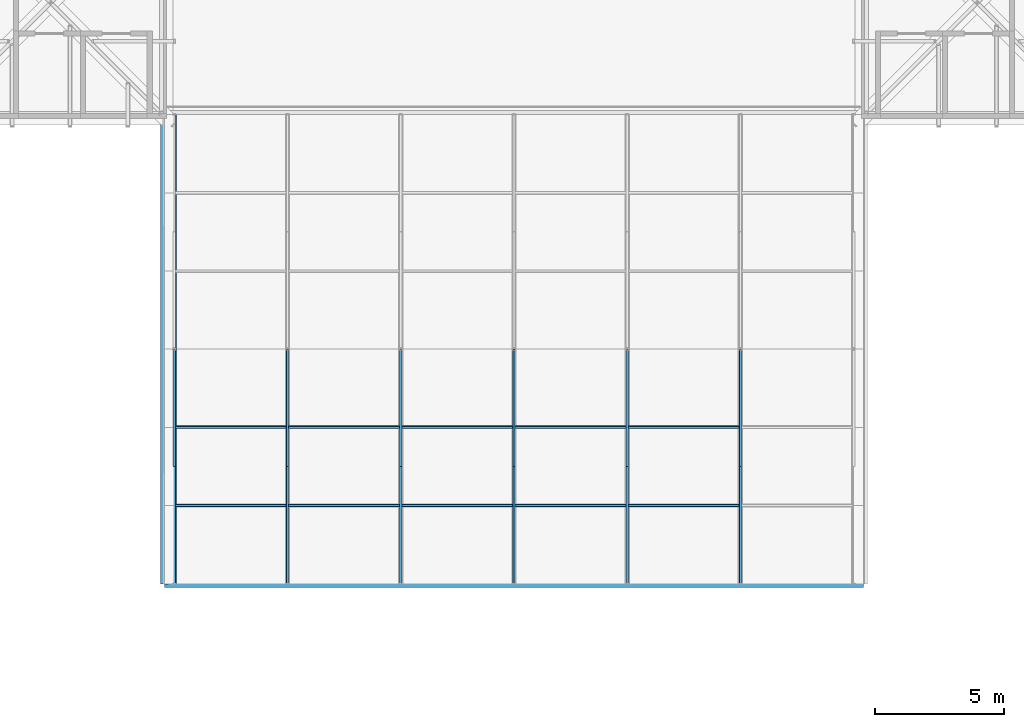
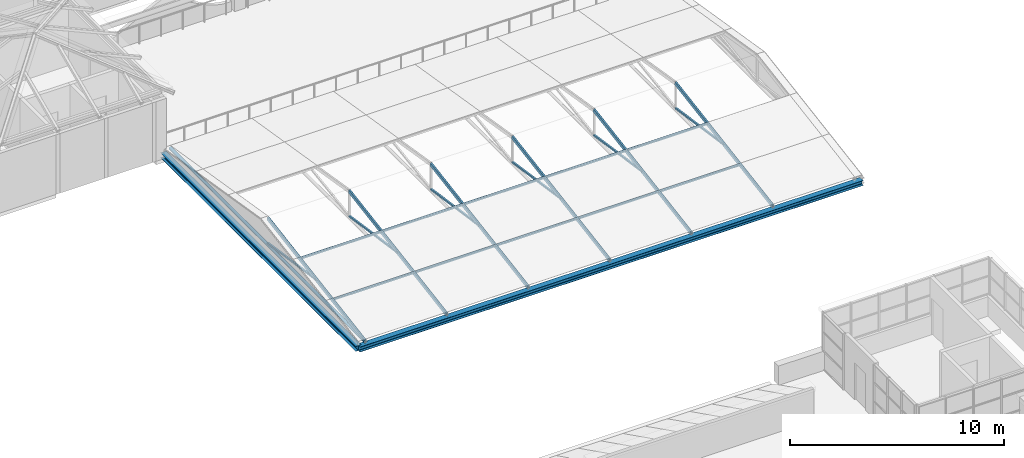
# One storey, part 6 of 69: 23 members, 2 beams.
"""IFC4 building model written with IfcOpenShell, lengths in metres."""

from ifc_helpers import new_model, si_unit, direction, frame, origin, origin_2d, place, context, subcontext, project, spatial, hollow_rectangle, hollow_circle, i_section, extrude, material, material_profile, profile_set, type_object, element, save


model = new_model("IFC4")

# Units and contexts
model_context = context("Model", 3, precision=1e-05, world=origin(), true_north=direction((0.0, 1.0)))
body_context = subcontext(model_context, "Body", "Model", "MODEL_VIEW")
ifc_project = project(units=[si_unit("LENGTHUNIT", "METRE"), si_unit("AREAUNIT", "SQUARE_METRE"), si_unit("VOLUMEUNIT", "CUBIC_METRE"), si_unit("PLANEANGLEUNIT", "RADIAN"), si_unit("MASSUNIT", "GRAM", prefix="KILO")], contexts=[model_context])

# Site, building, storey
site_placement = place(None, origin())
site = spatial("IfcSite", under=ifc_project, at=site_placement, CompositionType="ELEMENT")
building_placement = place(site_placement, origin())
building = spatial("IfcBuilding", under=site, at=building_placement, Name="Kallimachos Central Library", CompositionType="ELEMENT")
storey_placement = place(building_placement, frame((0.0, 0.0, 23.39990234375)))
storey = spatial("IfcBuildingStorey", under=building, at=storey_placement, Name="L05", CompositionType="ELEMENT", Elevation=23.39990234375)

# Member
ifc_material_1 = material(Name="Steel S355J2H", Category="steel")
ifc_material_profile_1 = material_profile(ifc_material_1, hollow_circle(Radius=0.084228515625, WallThickness=0.008056640625, at=origin_2d()), Name="CHS 168.3x8")
ifc_profile_set_1 = profile_set([ifc_material_profile_1], Name="Steel S355J2H")
member_type_1 = type_object("IfcMemberType", Name="CHS 168.3x8 tie", PredefinedType="MEMBER", material=ifc_profile_set_1)
member_1_placement = place(storey_placement, frame((74.800048828125, 56.919921875, 0.374267578125), z_axis=(0.0, 1.0, 0.0), x_axis=(-1.0, 0.0, 0.0)))
element("IfcMember", 1, at=member_1_placement, inside=storey, type_object=member_type_1, Name="V4-MEM-L05-043", PredefinedType="MEMBER", context=body_context, shape_type="SweptSolid", body=[
    extrude(hollow_circle(Radius=0.084228515625, WallThickness=0.008056640625, at=origin_2d()), origin(), (0.0, 0.0, 1.0), 18.22998046875),
])

# Beams
ifc_material_2 = material(Name="Steel S355J2", Category="steel")
ifc_material_profile_2 = material_profile(ifc_material_2, i_section(OverallWidth=0.300048828125, OverallDepth=0.2900390625, WebThickness=0.008544921875, FlangeThickness=0.013916015625, FilletRadius=0.027099609375, at=origin_2d()), Name="HEA 300")
ifc_profile_set_2 = profile_set([ifc_material_profile_2], Name="Steel S355J2")
beam_type = type_object("IfcBeamType", Name="HEA 300 beam", PredefinedType="BEAM", material=ifc_profile_set_2)
beam_1_placement = place(storey_placement, frame((74.419921875, 56.919921875, 0.14501953125), z_axis=(1.0, 0.0, 0.0), x_axis=(0.0, 1.0, 0.0)))
element("IfcBeam", 2, at=beam_1_placement, inside=storey, type_object=beam_type, Name="V4-BEM-L05-001", PredefinedType="BEAM", context=body_context, shape_type="SweptSolid", body=[
    extrude(i_section(OverallWidth=0.300048828125, OverallDepth=0.2900390625, WebThickness=0.008544921875, FlangeThickness=0.013916015625, FilletRadius=0.027099609375, at=origin_2d()), origin(), (0.0, 0.0, 1.0), 27.16015625),
])
beam_2_placement = place(storey_placement, frame((74.419921875, 56.919921875, 0.14501953125), z_axis=(0.0, 1.0, 0.0), x_axis=(-1.0, 0.0, 0.0)))
element("IfcBeam", 3, at=beam_2_placement, inside=storey, type_object=beam_type, Name="V4-BEM-L05-003", PredefinedType="BEAM", context=body_context, shape_type="SweptSolid", body=[
    extrude(i_section(OverallWidth=0.300048828125, OverallDepth=0.2900390625, WebThickness=0.008544921875, FlangeThickness=0.013916015625, FilletRadius=0.027099609375, at=origin_2d()), origin(), (0.0, 0.0, 1.0), 18.22998046875),
])

# Members
ifc_material_3 = material(Name="Steel S355J2H", Category="steel")
ifc_material_profile_3 = material_profile(ifc_material_3, hollow_rectangle(XDim=0.10009765625, YDim=0.199951171875, WallThickness=0.008056640625, InnerFilletRadius=0.008056640625, OuterFilletRadius=0.011962890625, at=origin_2d()), Name="RHS 200x100x8")
ifc_profile_set_3 = profile_set([ifc_material_profile_3], Name="Steel S355J2H")
member_type_2 = type_object("IfcMemberType", Name="RHS 200x100x8 rafter", PredefinedType="RAFTER", material=ifc_profile_set_3)
for number, where, z_axis, x_axis, name in (
    (4, (74.800048828125, 56.919921875, 0.391357421875), (0.0, 0.986728292904, 0.162380035666), (-1.0, 0.0, 0.0), "V4-MEM-L05-041"),
    (5, (79.199951171875, 56.919921875, 0.391357421875), (0.0, 0.986728292904, 0.162380035666), (-1.0, 0.0, 0.0), "V4-MEM-L05-047"),
    (6, (83.60009765625, 56.919921875, 0.391357421875), (0.0, 0.986728292904, 0.162380035666), (-1.0, 0.0, 0.0), "V4-MEM-L05-053"),
    (7, (88.0, 56.919921875, 0.391357421875), (0.0, 0.986728292904, 0.162380035666), (-1.0, 0.0, 0.0), "V4-MEM-L05-059"),
    (8, (92.39990234375, 56.919921875, 0.391357421875), (0.0, 0.986728292904, 0.162380035666), (-1.0, 0.0, 0.0), "V4-MEM-L05-065"),
    (9, (96.800048828125, 56.919921875, 0.391357421875), (0.0, 0.986728292904, 0.162380035666), (-1.0, 0.0, 0.0), "V4-MEM-L05-071"),
):
    element("IfcMember", number, at=place(storey_placement, frame(where, z_axis=z_axis, x_axis=x_axis)), inside=storey, type_object=member_type_2, Name=name, PredefinedType="RAFTER", context=body_context, shape_type="SweptSolid", body=[
        extrude(hollow_rectangle(XDim=0.10009765625, YDim=0.199951171875, WallThickness=0.008056640625, InnerFilletRadius=0.008056640625, OuterFilletRadius=0.011962890625, at=origin_2d()), origin(), (0.0, 0.0, 1.0), 9.237548828125),
    ])
ifc_material_4 = material(Name="Steel S355J2H", Category="steel")
ifc_material_profile_4 = material_profile(ifc_material_4, hollow_rectangle(XDim=0.10009765625, YDim=0.10009765625, WallThickness=0.008056640625, InnerFilletRadius=0.008056640625, OuterFilletRadius=0.011962890625, at=origin_2d()), Name="SHS 100x100x8")
ifc_profile_set_4 = profile_set([ifc_material_profile_4], Name="Steel S355J2H")
member_type_3 = type_object("IfcMemberType", Name="SHS 100x100x8 purlin", PredefinedType="PURLIN", material=ifc_profile_set_4)
member_2_placement = place(storey_placement, frame((74.85009765625, 59.966552734375, 0.943359375), z_axis=(1.0, 0.0, 0.0), x_axis=(0.0, 0.986728320778, 0.162379866283)))
element("IfcMember", 10, at=member_2_placement, inside=storey, type_object=member_type_3, Name="V4-MEM-L05-083", PredefinedType="PURLIN", context=body_context, shape_type="SweptSolid", body=[
    extrude(hollow_rectangle(XDim=0.10009765625, YDim=0.10009765625, WallThickness=0.008056640625, InnerFilletRadius=0.008056640625, OuterFilletRadius=0.011962890625, at=origin_2d()), origin(), (0.0, 0.0, 1.0), 4.2998046875),
])
for number, where, z_axis, x_axis, name in (
    (11, (79.25, 59.966552734375, 0.943359375), (1.0, 0.0, 0.0), (0.0, 0.986728320778, 0.162379866283), "V4-MEM-L05-084"),
    (12, (83.64990234375, 59.966552734375, 0.943359375), (1.0, 0.0, 0.0), (0.0, 0.986728320778, 0.162379866283), "V4-MEM-L05-085"),
    (13, (88.050048828125, 59.966552734375, 0.943359375), (1.0, 0.0, 0.0), (0.0, 0.986728320778, 0.162379866283), "V4-MEM-L05-086"),
    (14, (92.449951171875, 59.966552734375, 0.943359375), (1.0, 0.0, 0.0), (0.0, 0.986728320778, 0.162379866283), "V4-MEM-L05-087"),
):
    element("IfcMember", number, at=place(storey_placement, frame(where, z_axis=z_axis, x_axis=x_axis)), inside=storey, type_object=member_type_3, Name=name, PredefinedType="PURLIN", context=body_context, shape_type="SweptSolid", body=[
        extrude(hollow_rectangle(XDim=0.10009765625, YDim=0.10009765625, WallThickness=0.008056640625, InnerFilletRadius=0.008056640625, OuterFilletRadius=0.011962890625, at=origin_2d()), origin(), (0.0, 0.0, 1.0), 4.300048828125),
    ])
member_3_placement = place(storey_placement, frame((74.85009765625, 63.0048828125, 1.443359375), z_axis=(1.0, 0.0, 0.0), x_axis=(0.0, 0.986728320778, 0.162379866283)))
element("IfcMember", 15, at=member_3_placement, inside=storey, type_object=member_type_3, Name="V4-MEM-L05-089", PredefinedType="PURLIN", context=body_context, shape_type="SweptSolid", body=[
    extrude(hollow_rectangle(XDim=0.10009765625, YDim=0.10009765625, WallThickness=0.008056640625, InnerFilletRadius=0.008056640625, OuterFilletRadius=0.011962890625, at=origin_2d()), origin(), (0.0, 0.0, 1.0), 4.2998046875),
])
for number, where, z_axis, x_axis, name in (
    (16, (79.25, 63.0048828125, 1.443359375), (1.0, 0.0, 0.0), (0.0, 0.986728320778, 0.162379866283), "V4-MEM-L05-090"),
    (17, (83.64990234375, 63.0048828125, 1.443359375), (1.0, 0.0, 0.0), (0.0, 0.986728320778, 0.162379866283), "V4-MEM-L05-091"),
    (18, (88.050048828125, 63.0048828125, 1.443359375), (1.0, 0.0, 0.0), (0.0, 0.986728320778, 0.162379866283), "V4-MEM-L05-092"),
    (19, (92.449951171875, 63.0048828125, 1.443359375), (1.0, 0.0, 0.0), (0.0, 0.986728320778, 0.162379866283), "V4-MEM-L05-093"),
):
    element("IfcMember", number, at=place(storey_placement, frame(where, z_axis=z_axis, x_axis=x_axis)), inside=storey, type_object=member_type_3, Name=name, PredefinedType="PURLIN", context=body_context, shape_type="SweptSolid", body=[
        extrude(hollow_rectangle(XDim=0.10009765625, YDim=0.10009765625, WallThickness=0.008056640625, InnerFilletRadius=0.008056640625, OuterFilletRadius=0.011962890625, at=origin_2d()), origin(), (0.0, 0.0, 1.0), 4.300048828125),
    ])
ifc_material_5 = material(Name="Steel S355J2H", Category="steel")
ifc_material_profile_5 = material_profile(ifc_material_5, hollow_rectangle(XDim=0.10009765625, YDim=0.10009765625, WallThickness=0.008056640625, InnerFilletRadius=0.008056640625, OuterFilletRadius=0.011962890625, at=origin_2d()), Name="SHS 100x100x8")
ifc_profile_set_5 = profile_set([ifc_material_profile_5], Name="Steel S355J2H")
member_type_4 = type_object("IfcMemberType", Name="SHS 100x100x8 strut", PredefinedType="STRUT", material=ifc_profile_set_5)
for number, where, z_axis, x_axis, name in (
    (20, (74.800048828125, 66.034912109375, 0.474365234375), (0.0, -0.989459211783, 0.144811837285), (1.0, 0.0, 0.0), "V4-MEM-L05-045"),
    (21, (79.199951171875, 66.034912109375, 0.474365234375), (0.0, -0.989459211783, 0.144811837285), (1.0, 0.0, 0.0), "V4-MEM-L05-051"),
    (22, (83.60009765625, 66.034912109375, 0.474365234375), (0.0, -0.989459211783, 0.144811837285), (1.0, 0.0, 0.0), "V4-MEM-L05-057"),
    (23, (88.0, 66.034912109375, 0.474365234375), (0.0, -0.989459211783, 0.144811837285), (1.0, 0.0, 0.0), "V4-MEM-L05-063"),
    (24, (92.39990234375, 66.034912109375, 0.474365234375), (0.0, -0.989459211783, 0.144811837285), (1.0, 0.0, 0.0), "V4-MEM-L05-069"),
    (25, (96.800048828125, 66.034912109375, 0.474365234375), (0.0, -0.989459211783, 0.144811837285), (1.0, 0.0, 0.0), "V4-MEM-L05-075"),
):
    element("IfcMember", number, at=place(storey_placement, frame(where, z_axis=z_axis, x_axis=x_axis)), inside=storey, type_object=member_type_4, Name=name, PredefinedType="STRUT", context=body_context, shape_type="SweptSolid", body=[
        extrude(hollow_rectangle(XDim=0.10009765625, YDim=0.10009765625, WallThickness=0.008056640625, InnerFilletRadius=0.008056640625, OuterFilletRadius=0.011962890625, at=origin_2d()), origin(), (0.0, 0.0, 1.0), 4.60595703125),
    ])

save(model, "model.ifc")
